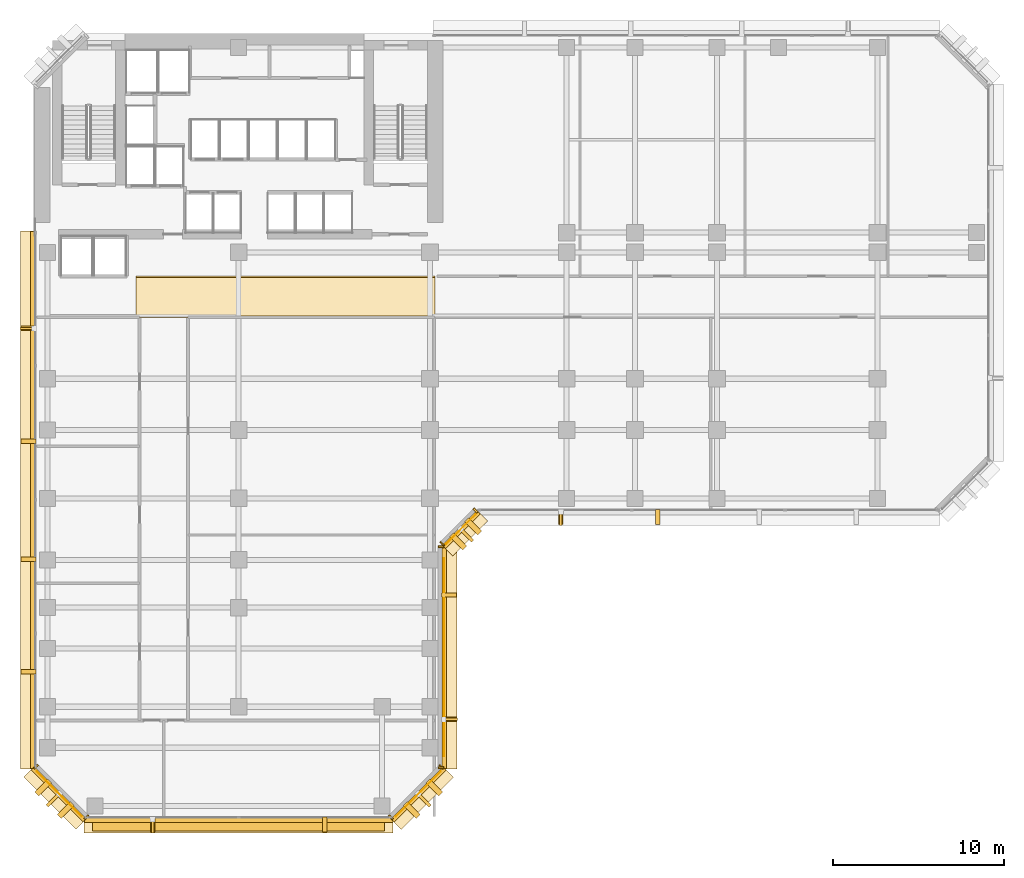
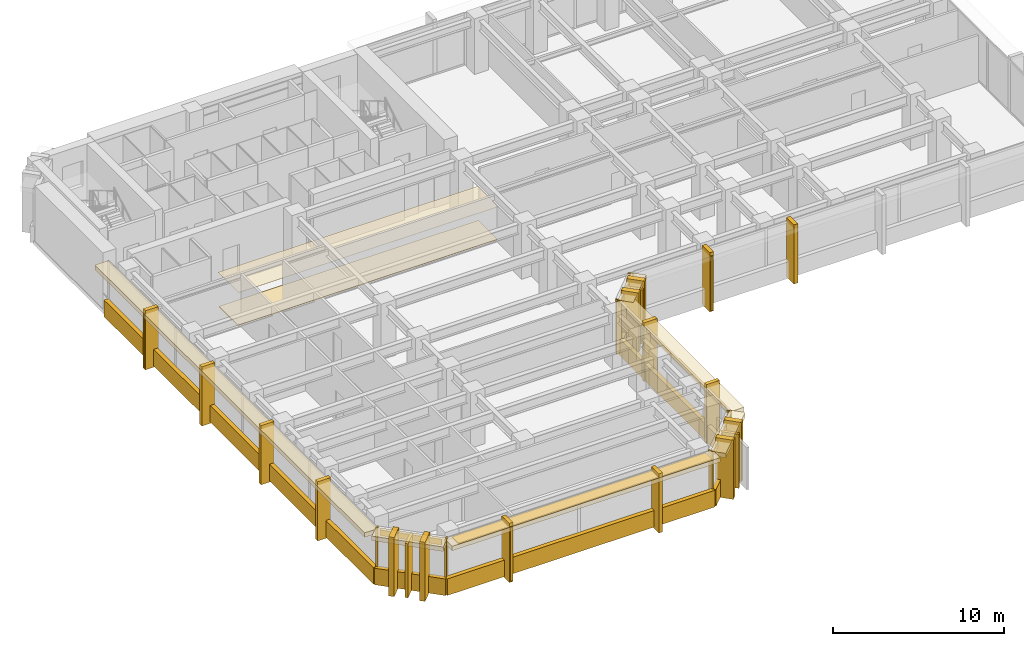
# One storey, part 9 of 13: 42 coverings, 8 shading devices.
"""IFC4 building model written with IfcOpenShell, lengths in metres."""

from ifc_helpers import new_model, si_unit, direction, frame, origin, origin_2d, place, context, subcontext, project, spatial, polyline, rectangle, outline, extrude, material, layer, layer_set, material_profile, profile_set, type_object, element, save


model = new_model("IFC4")

# Units and contexts
model_context = context("Model", 3, precision=1e-05, world=origin(), true_north=direction((0.0, 1.0)))
body_context = subcontext(model_context, "Body", "Model", "MODEL_VIEW")
ifc_project = project(units=[si_unit("LENGTHUNIT", "METRE"), si_unit("AREAUNIT", "SQUARE_METRE"), si_unit("VOLUMEUNIT", "CUBIC_METRE"), si_unit("PLANEANGLEUNIT", "RADIAN"), si_unit("MASSUNIT", "GRAM", prefix="KILO")], contexts=[model_context])

# Site, building, storey
site_placement = place(None, origin())
site = spatial("IfcSite", under=ifc_project, at=site_placement, CompositionType="ELEMENT")
building_placement = place(site_placement, origin())
building = spatial("IfcBuilding", under=site, at=building_placement, Name="Kefirva Bronze Tower", CompositionType="ELEMENT")
storey_placement = place(building_placement, frame((0.0, 0.0, 46.199951171875)))
storey = spatial("IfcBuildingStorey", under=building, at=storey_placement, Name="L10", CompositionType="ELEMENT", Elevation=46.199951171875)

# Coverings
ifc_material_1 = material(Name="Acoustic mineral tile")
ifc_layer_1 = layer(ifc_material_1, 0.02490234375, Name="Acoustic mineral tile")
ifc_layer_set_1 = layer_set([ifc_layer_1], Name="Acoustic mineral tile")
covering_type_1 = type_object("IfcCoveringType", Name="Acoustic Mineral Suspended Ceiling 25mm", PredefinedType="CEILING", material=ifc_layer_set_1)
covering_1_placement = place(storey_placement, frame((0.0, 0.0, 2.400146484375)))
element("IfcCovering", 1, at=covering_1_placement, inside=storey, type_object=covering_type_1, Name="L10 Corridor Acoustic Ceiling", PredefinedType="CEILING", context=body_context, shape_type="SweptSolid", body=[
    extrude(outline(polyline([(6.0, 29.39990234375), (23.5, 29.39990234375), (23.5, 31.800048828125), (6.0, 31.800048828125), (6.0, 29.39990234375)])), origin(), (0.0, 0.0, 1.0), 0.02490234375),
])
ifc_material_2 = material(Name="Bronze anodised aluminium", Category="aluminium")
ifc_layer_2 = layer(ifc_material_2, 0.02001953125, Name="Bronze anodised aluminium")
ifc_layer_set_2 = layer_set([ifc_layer_2], Name="Bronze anodised aluminium")
covering_type_2 = type_object("IfcCoveringType", Name="Anodised Bronze Spandrel Cladding 20mm", PredefinedType="CLADDING", material=ifc_layer_set_2)
covering_2_placement = place(storey_placement, frame((12.0, -0.0400390625, -0.16015625), z_axis=(0.0, 0.0, 1.0), x_axis=(1.0, 0.0, 0.0)))
element("IfcCovering", 2, at=covering_2_placement, inside=storey, type_object=covering_type_2, Name="L10 Streamline Horizontal Spandrel Band 0", PredefinedType="CLADDING", context=body_context, shape_type="SweptSolid", body=[
    extrude(rectangle(XDim=18.0400390625, YDim=0.280029296875, at=origin_2d()), origin(), (0.0, 0.0, 1.0), 1.179931640625),
])
covering_3_placement = place(storey_placement, frame((22.507080078125, 1.492919921875, 3.2900390625), z_axis=(0.0, 0.0, 1.0), x_axis=(0.707106781187, 0.707106781187, 0.0)))
element("IfcCovering", 3, at=covering_3_placement, inside=storey, type_object=covering_type_2, Name="L10 Bronze Spandrel Cladding 1", PredefinedType="CLADDING", context=body_context, shape_type="SweptSolid", body=[
    extrude(rectangle(XDim=3.719482421875, YDim=0.02001953125, at=origin_2d()), origin(), (0.0, 0.0, 1.0), 0.39990234375),
])
for number, where, z_axis, x_axis, name in (
    (4, (20.91162109375, 0.137939453125, 0.0), (0.0, 0.0, 1.0), (0.707106781187, 0.707106781187, 0.0), "L10 Facade Joint Closure Panel 1S"),
    (5, (23.862060546875, 3.08837890625, 0.0), (0.0, 0.0, 1.0), (0.707106781187, 0.707106781187, 0.0), "L10 Facade Joint Closure Panel 1E"),
):
    element("IfcCovering", number, at=place(storey_placement, frame(where, z_axis=z_axis, x_axis=x_axis)), inside=storey, type_object=covering_type_2, Name=name, PredefinedType="CLADDING", context=body_context, shape_type="SweptSolid", body=[
        extrude(rectangle(XDim=0.10009765625, YDim=0.320068359375, at=origin_2d()), origin(), (0.0, 0.0, 1.0), 3.7099609375),
    ])
covering_4_placement = place(storey_placement, frame((22.5283203125, 1.4716796875, -0.16015625), z_axis=(0.0, 0.0, 1.0), x_axis=(0.707106781187, 0.707106781187, 0.0)))
element("IfcCovering", 6, at=covering_4_placement, inside=storey, type_object=covering_type_2, Name="L10 Streamline Horizontal Spandrel Band 1", PredefinedType="CLADDING", context=body_context, shape_type="SweptSolid", body=[
    extrude(rectangle(XDim=4.28271484375, YDim=0.280029296875, at=origin_2d()), origin(), (0.0, 0.0, 1.0), 1.179931640625),
])
covering_5_placement = place(storey_placement, frame((24.010009765625, 9.5, 3.2900390625), z_axis=(0.0, 0.0, 1.0), x_axis=(0.0, 1.0, 0.0)))
element("IfcCovering", 7, at=covering_5_placement, inside=storey, type_object=covering_type_2, Name="L10 Bronze Spandrel Cladding 2", PredefinedType="CLADDING", context=body_context, shape_type="SweptSolid", body=[
    extrude(rectangle(XDim=11.60107421875, YDim=0.02001953125, at=origin_2d()), origin(), (0.0, 0.0, 1.0), 0.39990234375),
])
for number, where, z_axis, x_axis, name in (
    (8, (23.840087890625, 3.034912109375, 0.0), (0.0, 0.0, 1.0), (0.0, 1.0, 0.0), "L10 Facade Joint Closure Panel 2S"),
    (9, (23.840087890625, 15.965087890625, 0.0), (0.0, 0.0, 1.0), (0.0, 1.0, 0.0), "L10 Facade Joint Closure Panel 2E"),
):
    element("IfcCovering", number, at=place(storey_placement, frame(where, z_axis=z_axis, x_axis=x_axis)), inside=storey, type_object=covering_type_2, Name=name, PredefinedType="CLADDING", context=body_context, shape_type="SweptSolid", body=[
        extrude(rectangle(XDim=0.10009765625, YDim=0.320068359375, at=origin_2d()), origin(), (0.0, 0.0, 1.0), 3.7099609375),
    ])
covering_6_placement = place(storey_placement, frame((24.0400390625, 9.5, -0.16015625), z_axis=(0.0, 0.0, 1.0), x_axis=(0.0, 1.0, 0.0)))
element("IfcCovering", 10, at=covering_6_placement, inside=storey, type_object=covering_type_2, Name="L10 Streamline Horizontal Spandrel Band 2", PredefinedType="CLADDING", context=body_context, shape_type="SweptSolid", body=[
    extrude(rectangle(XDim=13.0400390625, YDim=0.280029296875, at=origin_2d()), origin(), (0.0, 0.0, 1.0), 1.179931640625),
])
covering_7_placement = place(storey_placement, frame((25.007080078125, 16.992919921875, 3.2900390625), z_axis=(0.0, 0.0, 1.0), x_axis=(0.707106781187, 0.707106781187, 0.0)))
element("IfcCovering", 11, at=covering_7_placement, inside=storey, type_object=covering_type_2, Name="L10 Bronze Spandrel Cladding 3", PredefinedType="CLADDING", context=body_context, shape_type="SweptSolid", body=[
    extrude(rectangle(XDim=2.446533203125, YDim=0.02001953125, at=origin_2d()), origin(), (0.0, 0.0, 1.0), 0.39990234375),
])
for number, where, z_axis, x_axis, name in (
    (12, (23.91162109375, 16.137939453125, 0.0), (0.0, 0.0, 1.0), (0.707106781187, 0.707106781187, 0.0), "L10 Facade Joint Closure Panel 3S"),
    (13, (25.862060546875, 18.08837890625, 0.0), (0.0, 0.0, 1.0), (0.707106781187, 0.707106781187, 0.0), "L10 Facade Joint Closure Panel 3E"),
):
    element("IfcCovering", number, at=place(storey_placement, frame(where, z_axis=z_axis, x_axis=x_axis)), inside=storey, type_object=covering_type_2, Name=name, PredefinedType="CLADDING", context=body_context, shape_type="SweptSolid", body=[
        extrude(rectangle(XDim=0.10009765625, YDim=0.320068359375, at=origin_2d()), origin(), (0.0, 0.0, 1.0), 3.7099609375),
    ])
covering_8_placement = place(storey_placement, frame((25.0283203125, 16.9716796875, -0.16015625), z_axis=(0.0, 0.0, 1.0), x_axis=(0.707106781187, 0.707106781187, 0.0)))
element("IfcCovering", 14, at=covering_8_placement, inside=storey, type_object=covering_type_2, Name="L10 Streamline Horizontal Spandrel Band 3", PredefinedType="CLADDING", context=body_context, shape_type="SweptSolid", body=[
    extrude(rectangle(XDim=2.868408203125, YDim=0.280029296875, at=origin_2d()), origin(), (0.0, 0.0, 1.0), 1.179931640625),
])
covering_9_placement = place(storey_placement, frame((-0.0400390625, 18.697509765625, -0.16015625), z_axis=(0.0, 0.0, 1.0), x_axis=(0.0, -1.0, 0.0)))
element("IfcCovering", 15, at=covering_9_placement, inside=storey, type_object=covering_type_2, Name="L10 Streamline Horizontal Spandrel Band 10", PredefinedType="CLADDING", context=body_context, shape_type="SweptSolid", body=[
    extrude(rectangle(XDim=31.43505859375, YDim=0.280029296875, at=origin_2d()), origin(), (0.0, 0.0, 1.0), 1.179931640625),
])
covering_10_placement = place(storey_placement, frame((1.492919921875, 1.492919921875, 3.2900390625), z_axis=(0.0, 0.0, 1.0), x_axis=(0.707106781187, -0.707106781187, 0.0)))
element("IfcCovering", 16, at=covering_10_placement, inside=storey, type_object=covering_type_2, Name="L10 Bronze Spandrel Cladding 7", PredefinedType="CLADDING", context=body_context, shape_type="SweptSolid", body=[
    extrude(rectangle(XDim=3.719482421875, YDim=0.02001953125, at=origin_2d()), origin(), (0.0, 0.0, 1.0), 0.39990234375),
])
for number, where, z_axis, x_axis, name in (
    (17, (0.137939453125, 3.08837890625, 0.0), (0.0, 0.0, 1.0), (0.707106781187, -0.707106781187, 0.0), "L10 Facade Joint Closure Panel 7S"),
    (18, (3.08837890625, 0.137939453125, 0.0), (0.0, 0.0, 1.0), (0.707106781187, -0.707106781187, 0.0), "L10 Facade Joint Closure Panel 7E"),
):
    element("IfcCovering", number, at=place(storey_placement, frame(where, z_axis=z_axis, x_axis=x_axis)), inside=storey, type_object=covering_type_2, Name=name, PredefinedType="CLADDING", context=body_context, shape_type="SweptSolid", body=[
        extrude(rectangle(XDim=0.10009765625, YDim=0.320068359375, at=origin_2d()), origin(), (0.0, 0.0, 1.0), 3.7099609375),
    ])
covering_11_placement = place(storey_placement, frame((1.4716796875, 1.4716796875, -0.16015625), z_axis=(0.0, 0.0, 1.0), x_axis=(0.707106781187, -0.707106781187, 0.0)))
element("IfcCovering", 19, at=covering_11_placement, inside=storey, type_object=covering_type_2, Name="L10 Streamline Horizontal Spandrel Band 11", PredefinedType="CLADDING", context=body_context, shape_type="SweptSolid", body=[
    extrude(rectangle(XDim=4.28271484375, YDim=0.280029296875, at=origin_2d()), origin(), (0.0, 0.0, 1.0), 1.179931640625),
])

# Shading devices
ifc_material_profile_1 = material_profile(ifc_material_2, rectangle(XDim=0.179931640625, YDim=1.080078125, at=origin_2d()), Name="BRONZE BUTTRESS FIN 180x1080")
ifc_profile_set_1 = profile_set([ifc_material_profile_1], Name="Bronze anodised aluminium")
shading_device_type_1 = type_object("IfcShadingDeviceType", Name="Chamfered Corner Buttress Bronze Fin 1080mm", PredefinedType="USERDEFINED", material=ifc_profile_set_1)
for number, where, z_axis, x_axis, name in (
    (20, (22.8251953125, 1.1748046875, -0.139892578125), (0.0, 0.0, 1.0), (0.707106781187, 0.707106781187, 0.0), "L10 Chamfered Corner Buttress Fin 4"),
    (21, (25.3251953125, 16.6748046875, -0.139892578125), (0.0, 0.0, 1.0), (0.707106781187, 0.707106781187, 0.0), "L10 Chamfered Corner Buttress Fin 8"),
    (22, (1.1748046875, 1.1748046875, -0.139892578125), (0.0, 0.0, 1.0), (0.707106781187, -0.707106781187, 0.0), "L10 Chamfered Corner Buttress Fin 30"),
):
    element("IfcShadingDevice", number, at=place(storey_placement, frame(where, z_axis=z_axis, x_axis=x_axis)), inside=storey, type_object=shading_device_type_1, Name=name, ObjectType="VERTICAL FIN", PredefinedType="USERDEFINED", context=body_context, shape_type="SweptSolid", body=[
        extrude(rectangle(XDim=0.179931640625, YDim=1.080078125, at=origin_2d()), origin(), (0.0, 0.0, 1.0), 3.849853515625),
    ])
ifc_layer_3 = layer(ifc_material_2, 0.090087890625, Name="Bronze anodised aluminium")
ifc_layer_set_3 = layer_set([ifc_layer_3], Name="Bronze anodised aluminium")
shading_device_type_2 = type_object("IfcShadingDeviceType", Name="Horizontal Bronze Sunshade Band 750mm", PredefinedType="JALOUSIE", material=ifc_layer_set_3)
shading_device_placement = place(storey_placement, frame((12.0, -0.294921875, 3.60498046875), z_axis=(0.0, 0.0, 1.0), x_axis=(1.0, 0.0, 0.0)))
element("IfcShadingDevice", 23, at=shading_device_placement, inside=storey, type_object=shading_device_type_2, Name="L10 Horizontal Bronze Sunshade Band 0", PredefinedType="JALOUSIE", context=body_context, shape_type="SweptSolid", body=[
    extrude(rectangle(XDim=17.090087890625, YDim=0.75, at=origin_2d()), origin(), (0.0, 0.0, 1.0), 0.090087890625),
])

# Coverings
ifc_material_3 = material(Name="Calcium sulphate access tile")
ifc_layer_4 = layer(ifc_material_3, 0.044921875, Name="Calcium sulphate access tile")
ifc_layer_set_4 = layer_set([ifc_layer_4], Name="Calcium sulphate access tile")
covering_type_3 = type_object("IfcCoveringType", Name="Raised Access Office Flooring 45mm", PredefinedType="FLOORING", material=ifc_layer_set_4)
covering_12_placement = place(storey_placement, origin())
element("IfcCovering", 24, at=covering_12_placement, inside=storey, type_object=covering_type_3, Name="L10 Architectural Finish Flooring", PredefinedType="FLOORING", context=body_context, shape_type="SweptSolid", body=[
    extrude(outline(polyline([(6.0, 29.47998046875), (23.5, 29.47998046875), (23.5, 31.719970703125), (6.0, 31.719970703125), (6.0, 29.47998046875)])), origin(), (0.0, 0.0, 1.0), 0.045166015625),
])
ifc_layer_5 = layer(ifc_material_2, 0.179931640625, Name="Bronze anodised aluminium")
ifc_layer_set_5 = layer_set([ifc_layer_5], Name="Bronze anodised aluminium")
covering_type_4 = type_object("IfcCoveringType", Name="Streamline Bronze Sunshade Eyebrow Cladding 180mm", PredefinedType="CLADDING", material=ifc_layer_set_5)
covering_13_placement = place(storey_placement, frame((12.0, -0.31005859375, 3.39013671875), z_axis=(0.0, 0.0, 1.0), x_axis=(1.0, 0.0, 0.0)))
element("IfcCovering", 25, at=covering_13_placement, inside=storey, type_object=covering_type_4, Name="L10 Streamline Bronze Sunshade Eyebrow 0", PredefinedType="CLADDING", context=body_context, shape_type="SweptSolid", body=[
    extrude(rectangle(XDim=18.080078125, YDim=0.93994140625, at=origin_2d()), origin(), (0.0, 0.0, 1.0), 0.320068359375),
])
covering_14_placement = place(storey_placement, frame((22.71923828125, 1.28076171875, 3.39013671875), z_axis=(0.0, 0.0, 1.0), x_axis=(0.707106781187, 0.707106781187, 0.0)))
element("IfcCovering", 26, at=covering_14_placement, inside=storey, type_object=covering_type_4, Name="L10 Streamline Bronze Sunshade Eyebrow 1", PredefinedType="CLADDING", context=body_context, shape_type="SweptSolid", body=[
    extrude(rectangle(XDim=4.322509765625, YDim=0.93994140625, at=origin_2d()), origin(), (0.0, 0.0, 1.0), 0.320068359375),
])
covering_15_placement = place(storey_placement, frame((24.31005859375, 9.5, 3.39013671875), z_axis=(0.0, 0.0, 1.0), x_axis=(0.0, 1.0, 0.0)))
element("IfcCovering", 27, at=covering_15_placement, inside=storey, type_object=covering_type_4, Name="L10 Streamline Bronze Sunshade Eyebrow 2", PredefinedType="CLADDING", context=body_context, shape_type="SweptSolid", body=[
    extrude(rectangle(XDim=13.080078125, YDim=0.93994140625, at=origin_2d()), origin(), (0.0, 0.0, 1.0), 0.320068359375),
])
covering_16_placement = place(storey_placement, frame((25.21923828125, 16.78076171875, 3.39013671875), z_axis=(0.0, 0.0, 1.0), x_axis=(0.707106781187, 0.707106781187, 0.0)))
element("IfcCovering", 28, at=covering_16_placement, inside=storey, type_object=covering_type_4, Name="L10 Streamline Bronze Sunshade Eyebrow 3", PredefinedType="CLADDING", context=body_context, shape_type="SweptSolid", body=[
    extrude(rectangle(XDim=2.908447265625, YDim=0.93994140625, at=origin_2d()), origin(), (0.0, 0.0, 1.0), 0.320068359375),
])
covering_17_placement = place(storey_placement, frame((-0.31005859375, 18.697509765625, 3.39013671875), z_axis=(0.0, 0.0, 1.0), x_axis=(0.0, -1.0, 0.0)))
element("IfcCovering", 29, at=covering_17_placement, inside=storey, type_object=covering_type_4, Name="L10 Streamline Bronze Sunshade Eyebrow 10", PredefinedType="CLADDING", context=body_context, shape_type="SweptSolid", body=[
    extrude(rectangle(XDim=31.47509765625, YDim=0.93994140625, at=origin_2d()), origin(), (0.0, 0.0, 1.0), 0.320068359375),
])
covering_18_placement = place(storey_placement, frame((1.28076171875, 1.28076171875, 3.39013671875), z_axis=(0.0, 0.0, 1.0), x_axis=(0.707106781187, -0.707106781187, 0.0)))
element("IfcCovering", 30, at=covering_18_placement, inside=storey, type_object=covering_type_4, Name="L10 Streamline Bronze Sunshade Eyebrow 11", PredefinedType="CLADDING", context=body_context, shape_type="SweptSolid", body=[
    extrude(rectangle(XDim=4.322509765625, YDim=0.93994140625, at=origin_2d()), origin(), (0.0, 0.0, 1.0), 0.320068359375),
])
ifc_layer_6 = layer(ifc_material_2, 0.260009765625, Name="Bronze anodised aluminium")
ifc_layer_set_6 = layer_set([ifc_layer_6], Name="Bronze anodised aluminium")
covering_type_5 = type_object("IfcCoveringType", Name="Unbroken Bronze Buttress Fin Cladding 260mm", PredefinedType="CLADDING", material=ifc_layer_set_6)
for number, where, z_axis, x_axis, name in (
    (31, (6.9599609375, -0.300048828125, -0.25), (0.0, 0.0, 1.0), (1.0, 0.0, 0.0), "L10 Unbroken Vertical Bronze Rib Fin 1"),
    (32, (17.0400390625, -0.300048828125, -0.25), (0.0, 0.0, 1.0), (1.0, 0.0, 0.0), "L10 Unbroken Vertical Bronze Rib Fin 2"),
):
    element("IfcCovering", number, at=place(storey_placement, frame(where, z_axis=z_axis, x_axis=x_axis)), inside=storey, type_object=covering_type_5, Name=name, PredefinedType="CLADDING", context=body_context, shape_type="SweptSolid", body=[
        extrude(rectangle(XDim=0.260009765625, YDim=0.8798828125, at=origin_2d()), origin(), (0.0, 0.0, 1.0), 4.2099609375),
    ])
for number, where, z_axis, x_axis, name in (
    (33, (22.122802734375, 0.55712890625, -0.25), (0.0, 0.0, 1.0), (0.707106781187, 0.707106781187, 0.0), "L10 Chamfered Corner Buttress Fin Cladding 3"),
    (34, (23.44287109375, 1.877197265625, -0.25), (0.0, 0.0, 1.0), (0.707106781187, 0.707106781187, 0.0), "L10 Chamfered Corner Buttress Fin Cladding 4"),
):
    element("IfcCovering", number, at=place(storey_placement, frame(where, z_axis=z_axis, x_axis=x_axis)), inside=storey, type_object=covering_type_5, Name=name, PredefinedType="CLADDING", context=body_context, shape_type="SweptSolid", body=[
        extrude(rectangle(XDim=0.340087890625, YDim=1.080078125, at=origin_2d()), origin(), (0.0, 0.0, 1.0), 4.2099609375),
    ])
for number, where, z_axis, x_axis, name in (
    (35, (24.300048828125, 5.860107421875, -0.25), (0.0, 0.0, 1.0), (0.0, 1.0, 0.0), "L10 Unbroken Vertical Bronze Rib Fin 5"),
    (36, (24.300048828125, 13.139892578125, -0.25), (0.0, 0.0, 1.0), (0.0, 1.0, 0.0), "L10 Unbroken Vertical Bronze Rib Fin 6"),
):
    element("IfcCovering", number, at=place(storey_placement, frame(where, z_axis=z_axis, x_axis=x_axis)), inside=storey, type_object=covering_type_5, Name=name, PredefinedType="CLADDING", context=body_context, shape_type="SweptSolid", body=[
        extrude(rectangle(XDim=0.260009765625, YDim=0.8798828125, at=origin_2d()), origin(), (0.0, 0.0, 1.0), 4.2099609375),
    ])
for number, where, z_axis, x_axis, name in (
    (37, (24.8427734375, 16.277099609375, -0.25), (0.0, 0.0, 1.0), (0.707106781187, 0.707106781187, 0.0), "L10 Chamfered Corner Buttress Fin Cladding 7"),
    (38, (25.722900390625, 17.1572265625, -0.25), (0.0, 0.0, 1.0), (0.707106781187, 0.707106781187, 0.0), "L10 Chamfered Corner Buttress Fin Cladding 8"),
):
    element("IfcCovering", number, at=place(storey_placement, frame(where, z_axis=z_axis, x_axis=x_axis)), inside=storey, type_object=covering_type_5, Name=name, PredefinedType="CLADDING", context=body_context, shape_type="SweptSolid", body=[
        extrude(rectangle(XDim=0.340087890625, YDim=1.080078125, at=origin_2d()), origin(), (0.0, 0.0, 1.0), 4.2099609375),
    ])
for number, where, z_axis, x_axis, name in (
    (39, (30.860107421875, 17.699951171875, -0.25), (0.0, 0.0, 1.0), (1.0, 0.0, 0.0), "L10 Unbroken Vertical Bronze Rib Fin 9"),
    (40, (36.530029296875, 17.699951171875, -0.25), (0.0, 0.0, 1.0), (1.0, 0.0, 0.0), "L10 Unbroken Vertical Bronze Rib Fin 10"),
    (41, (-0.300048828125, 28.743896484375, -0.25), (0.0, 0.0, 1.0), (0.0, -1.0, 0.0), "L10 Unbroken Vertical Bronze Rib Fin 25"),
    (42, (-0.300048828125, 22.15087890625, -0.25), (0.0, 0.0, 1.0), (0.0, -1.0, 0.0), "L10 Unbroken Vertical Bronze Rib Fin 26"),
    (43, (-0.300048828125, 15.244140625, -0.25), (0.0, 0.0, 1.0), (0.0, -1.0, 0.0), "L10 Unbroken Vertical Bronze Rib Fin 27"),
    (44, (-0.300048828125, 8.651123046875, -0.25), (0.0, 0.0, 1.0), (0.0, -1.0, 0.0), "L10 Unbroken Vertical Bronze Rib Fin 28"),
):
    element("IfcCovering", number, at=place(storey_placement, frame(where, z_axis=z_axis, x_axis=x_axis)), inside=storey, type_object=covering_type_5, Name=name, PredefinedType="CLADDING", context=body_context, shape_type="SweptSolid", body=[
        extrude(rectangle(XDim=0.260009765625, YDim=0.8798828125, at=origin_2d()), origin(), (0.0, 0.0, 1.0), 4.2099609375),
    ])
for number, where, z_axis, x_axis, name in (
    (45, (0.55712890625, 1.877197265625, -0.25), (0.0, 0.0, 1.0), (0.707106781187, -0.707106781187, 0.0), "L10 Chamfered Corner Buttress Fin Cladding 29"),
    (46, (1.877197265625, 0.55712890625, -0.25), (0.0, 0.0, 1.0), (0.707106781187, -0.707106781187, 0.0), "L10 Chamfered Corner Buttress Fin Cladding 30"),
):
    element("IfcCovering", number, at=place(storey_placement, frame(where, z_axis=z_axis, x_axis=x_axis)), inside=storey, type_object=covering_type_5, Name=name, PredefinedType="CLADDING", context=body_context, shape_type="SweptSolid", body=[
        extrude(rectangle(XDim=0.340087890625, YDim=1.080078125, at=origin_2d()), origin(), (0.0, 0.0, 1.0), 4.2099609375),
    ])

# Shading devices
ifc_material_profile_2 = material_profile(ifc_material_2, rectangle(XDim=0.139892578125, YDim=0.8798828125, at=origin_2d()), Name="BRONZE FIN 140x880")
ifc_profile_set_2 = profile_set([ifc_material_profile_2], Name="Bronze anodised aluminium")
shading_device_type_3 = type_object("IfcShadingDeviceType", Name="Unbroken Vertical Bronze Facade Fin 880mm", PredefinedType="USERDEFINED", material=ifc_profile_set_2)
for number, where, z_axis, x_axis, name in (
    (47, (6.9599609375, -0.360107421875, -0.139892578125), (0.0, 0.0, 1.0), (1.0, 0.0, 0.0), "L10 Vertical Bronze Rib Fin 1"),
    (48, (24.360107421875, 5.860107421875, -0.139892578125), (0.0, 0.0, 1.0), (0.0, 1.0, 0.0), "L10 Vertical Bronze Rib Fin 5"),
    (49, (30.860107421875, 17.639892578125, -0.139892578125), (0.0, 0.0, 1.0), (1.0, 0.0, 0.0), "L10 Vertical Bronze Rib Fin 9"),
    (50, (-0.360107421875, 28.743896484375, -0.139892578125), (0.0, 0.0, 1.0), (0.0, -1.0, 0.0), "L10 Vertical Bronze Rib Fin 25"),
):
    element("IfcShadingDevice", number, at=place(storey_placement, frame(where, z_axis=z_axis, x_axis=x_axis)), inside=storey, type_object=shading_device_type_3, Name=name, ObjectType="VERTICAL FIN", PredefinedType="USERDEFINED", context=body_context, shape_type="SweptSolid", body=[
        extrude(rectangle(XDim=0.139892578125, YDim=0.8798828125, at=origin_2d()), origin(), (0.0, 0.0, 1.0), 3.849853515625),
    ])

save(model, "model.ifc")
